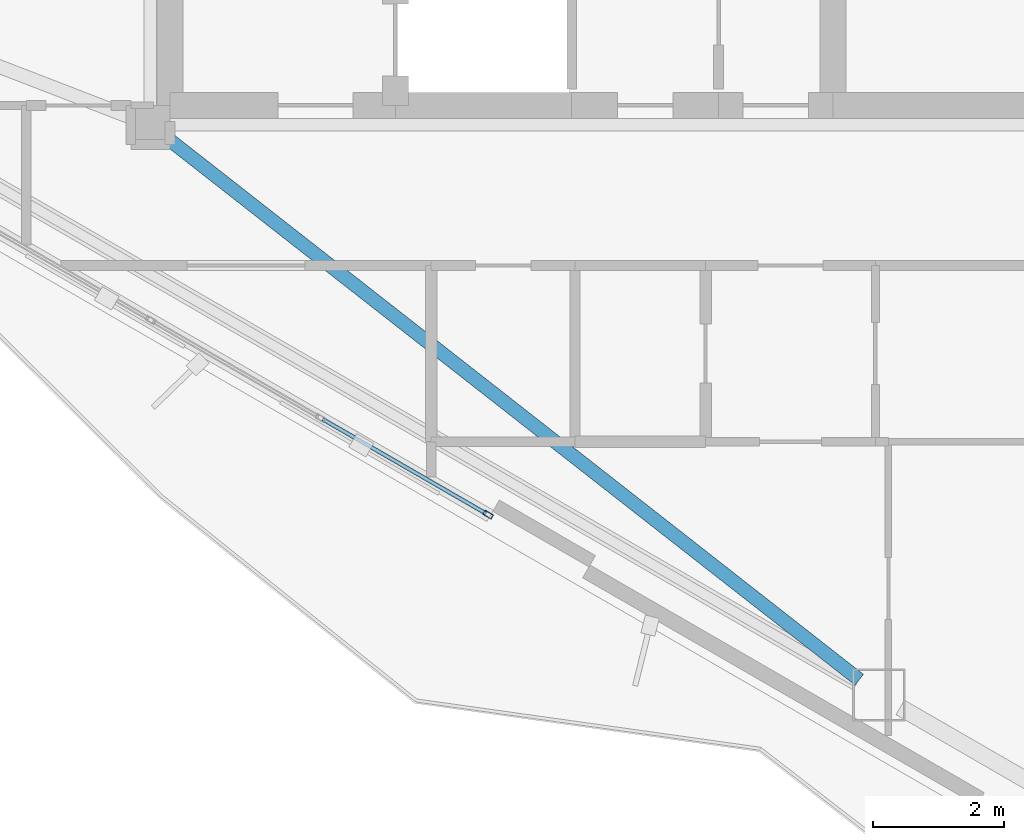
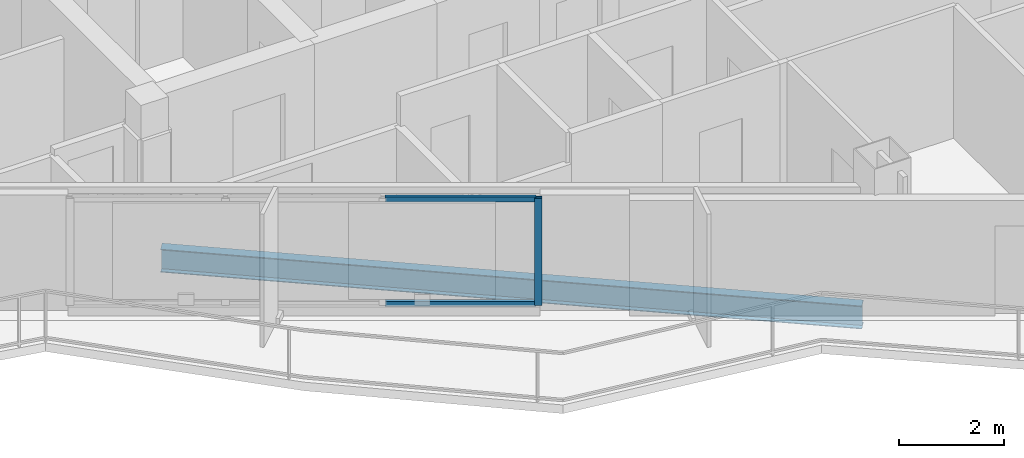
# One storey, part 4 of 22: 3 members, 1 beam, 1 element without a shape of its own.
"""IFC4 building model written with IfcOpenShell, lengths in metres."""

from ifc_helpers import new_model, si_unit, direction, frame, origin, origin_2d, place, context, subcontext, project, spatial, hollow_rectangle, i_section, extrude, material, layer, layer_set, material_profile, profile_set, type_object, element, aggregate, save


model = new_model("IFC4")

# Units and contexts
model_context = context("Model", 3, precision=1e-05, world=origin(), true_north=direction((0.0, 1.0)))
body_context = subcontext(model_context, "Body", "Model", "MODEL_VIEW")
ifc_project = project(units=[si_unit("LENGTHUNIT", "METRE"), si_unit("AREAUNIT", "SQUARE_METRE"), si_unit("VOLUMEUNIT", "CUBIC_METRE"), si_unit("PLANEANGLEUNIT", "RADIAN"), si_unit("MASSUNIT", "GRAM", prefix="KILO")], contexts=[model_context])

# Site, building, storey
site_placement = place(None, origin())
site = spatial("IfcSite", under=ifc_project, at=site_placement, CompositionType="ELEMENT")
building_placement = place(site_placement, origin())
building = spatial("IfcBuilding", under=site, at=building_placement, Name="Mersakhor Tower and Convention Hall", CompositionType="ELEMENT")
storey_placement = place(building_placement, frame((0.0, 0.0, 198.60009765625)))
storey = spatial("IfcBuildingStorey", under=building, at=storey_placement, Name="L55", CompositionType="ELEMENT", Elevation=198.60009765625)

# Beam
ifc_material_1 = material(Name="Steel S355", Category="steel")
ifc_material_profile_1 = material_profile(ifc_material_1, i_section(OverallWidth=0.2099609375, OverallDepth=0.53662109375, WebThickness=0.0107421875, FlangeThickness=0.017333984375, at=origin_2d()), Name="UB 533x210x101")
ifc_profile_set_1 = profile_set([ifc_material_profile_1], Name="Steel S355")
beam_type = type_object("IfcBeamType", Name="BM-FB-533", PredefinedType="BEAM", material=ifc_profile_set_1)
beam_placement = place(storey_placement, frame((22.12060546875, 20.27734375, -0.498291015625), z_axis=(0.78749660582, -0.616318988692, 0.0), x_axis=(0.616318988692, 0.78749660582, 0.0)))
element("IfcBeam", 1, at=beam_placement, inside=storey, type_object=beam_type, Name="L55 Primary Floor Girder FG-5", PredefinedType="BEAM", context=body_context, shape_type="SweptSolid", body=[
    extrude(i_section(OverallWidth=0.2099609375, OverallDepth=0.53662109375, WebThickness=0.0107421875, FlangeThickness=0.017333984375, at=origin_2d()), origin(), (0.0, 0.0, 1.0), 13.500732421875),
])

# Curtain wall, members
ifc_material_2 = material(Name="Dark solar low-E aluminium curtain wall", Category="aluminium")
ifc_layer = layer(ifc_material_2, 0.169921875)
ifc_layer_set = layer_set([ifc_layer], Name="Dark solar low-E aluminium curtain wall")
curtain_wall_type = type_object("IfcCurtainWallType", Name="CW-SYS-02", PredefinedType="USERDEFINED", material=ifc_layer_set)
curtain_wall_placement = place(storey_placement, origin())
curtain_wall = element("IfcCurtainWall", 2, at=curtain_wall_placement, inside=storey, type_object=curtain_wall_type, Name="L55 Dark-Glass Curtain Wall F3-B2", ObjectType="CURTAIN WALL", PredefinedType="USERDEFINED")
ifc_material_3 = material(Name="Anodised aluminium EN AW-6063 T6", Category="aluminium")
ifc_material_profile_2 = material_profile(ifc_material_3, hollow_rectangle(XDim=0.074951171875, YDim=0.14990234375, WallThickness=0.00634765625, at=origin_2d()), Name="RHS 150x75x6.3")
ifc_profile_set_2 = profile_set([ifc_material_profile_2], Name="Anodised aluminium EN AW-6063 T6")
member_type_1 = type_object("IfcMemberType", Name="CWM-150x75", PredefinedType="MULLION", material=ifc_profile_set_2)
member_1_placement = place(storey_placement, frame((27.06982421875, 14.483154296875, 0.199951171875), z_axis=(0.0, 0.0, 1.0), x_axis=(-0.500007824483, -0.86602088627, 0.0)))
member_1 = element("IfcMember", 3, at=member_1_placement, type_object=member_type_1, Name="CW-02 mullion 1", PredefinedType="MULLION", context=body_context, shape_type="SweptSolid", body=[
    extrude(hollow_rectangle(XDim=0.074951171875, YDim=0.14990234375, WallThickness=0.00634765625, at=origin_2d()), origin(), (0.0, 0.0, 1.0), 2.489990234375),
])
ifc_material_4 = material(Name="Anodised aluminium EN AW-6063 T6", Category="aluminium")
ifc_material_profile_3 = material_profile(ifc_material_4, hollow_rectangle(XDim=0.06005859375, YDim=0.1201171875, WallThickness=0.0048828125, at=origin_2d()), Name="RHS 120x60x5")
ifc_profile_set_3 = profile_set([ifc_material_profile_3], Name="Anodised aluminium EN AW-6063 T6")
member_type_2 = type_object("IfcMemberType", Name="CWT-120x60", PredefinedType="USERDEFINED", material=ifc_profile_set_3)
member_2_placement = place(storey_placement, frame((27.037353515625, 14.501953125, 0.22998046875), z_axis=(-0.86601237176, 0.50002257145, 0.0), x_axis=(-0.50002257145, -0.86601237176, 0.0)))
member_2 = element("IfcMember", 4, at=member_2_placement, type_object=member_type_2, Name="CW-02 transom 1.1", ObjectType="TRANSOM", PredefinedType="USERDEFINED", context=body_context, shape_type="SweptSolid", body=[
    extrude(hollow_rectangle(XDim=0.06005859375, YDim=0.1201171875, WallThickness=0.0048828125, at=origin_2d()), origin(), (0.0, 0.0, 1.0), 2.886962890625),
])
member_3_placement = place(storey_placement, frame((27.037353515625, 14.501953125, 2.659912109375), z_axis=(-0.86601237176, 0.50002257145, 0.0), x_axis=(-0.50002257145, -0.86601237176, 0.0)))
member_3 = element("IfcMember", 5, at=member_3_placement, type_object=member_type_2, Name="CW-02 transom 1.2", ObjectType="TRANSOM", PredefinedType="USERDEFINED", context=body_context, shape_type="SweptSolid", body=[
    extrude(hollow_rectangle(XDim=0.06005859375, YDim=0.1201171875, WallThickness=0.0048828125, at=origin_2d()), origin(), (0.0, 0.0, 1.0), 2.886962890625),
])
aggregate(curtain_wall, [member_1, member_2, member_3])

save(model, "model.ifc")
